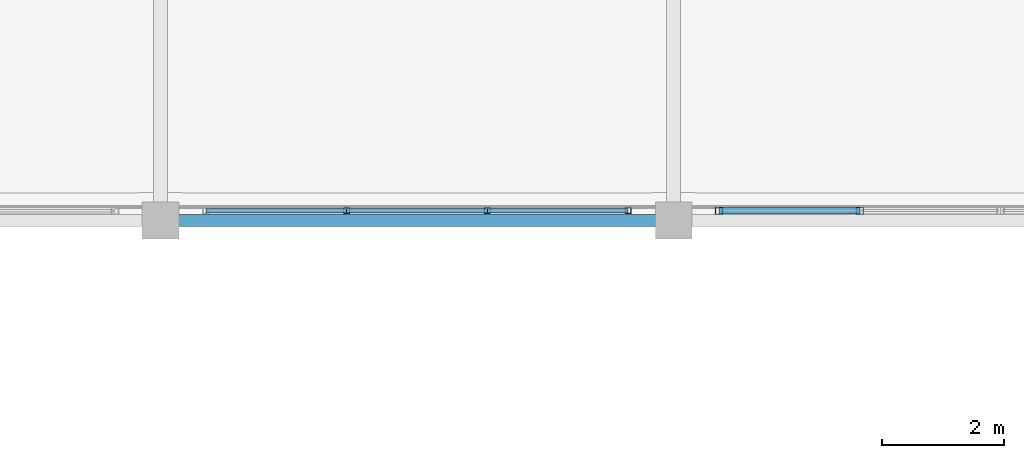
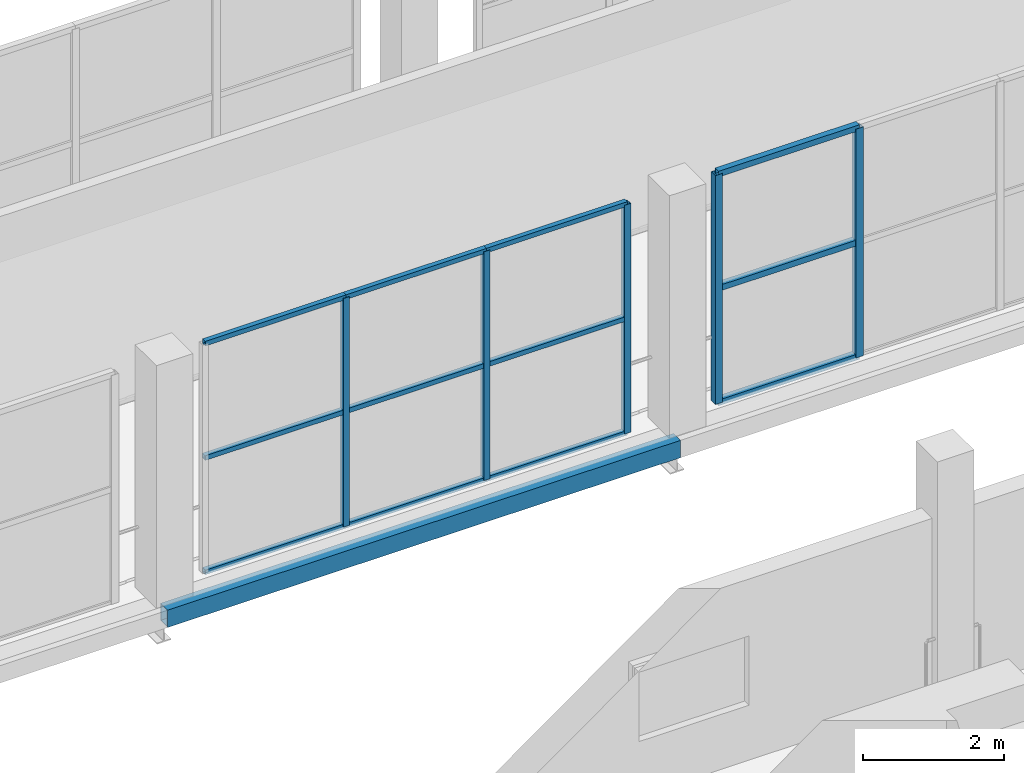
# One storey, part 40 of 151: 17 members, 1 beam, 2 elements without a shape of their own.
"""IFC4 building model written with IfcOpenShell, lengths in metres."""

from ifc_helpers import new_model, si_unit, direction, frame, origin, origin_2d, place, context, subcontext, project, spatial, hollow_rectangle, extrude, material, material_profile, profile_set, type_object, element, aggregate, save


model = new_model("IFC4")

# Units and contexts
model_context = context("Model", 3, precision=1e-05, world=origin(), true_north=direction((0.0, 1.0)))
body_context = subcontext(model_context, "Body", "Model", "MODEL_VIEW")
ifc_project = project(units=[si_unit("LENGTHUNIT", "METRE"), si_unit("AREAUNIT", "SQUARE_METRE"), si_unit("VOLUMEUNIT", "CUBIC_METRE"), si_unit("PLANEANGLEUNIT", "RADIAN"), si_unit("MASSUNIT", "GRAM", prefix="KILO")], contexts=[model_context])

# Site, building, storey
site_placement = place(None, origin())
site = spatial("IfcSite", under=ifc_project, at=site_placement, CompositionType="ELEMENT")
building_placement = place(site_placement, origin())
building = spatial("IfcBuilding", under=site, at=building_placement, Name="Zuvorla Pavilion Media Centre", CompositionType="ELEMENT")
storey_placement = place(building_placement, frame((0.0, 0.0, 13.800048828125)))
storey = spatial("IfcBuildingStorey", under=building, at=storey_placement, Name="L03", CompositionType="ELEMENT", Elevation=13.800048828125)

# Beam
ifc_material_1 = material(Name="Steel S355", Category="steel")
ifc_material_profile_1 = material_profile(ifc_material_1, hollow_rectangle(XDim=0.199951171875, YDim=0.300048828125, WallThickness=0.012451171875, at=origin_2d()), Name="RHS 300x200x12.5")
ifc_profile_set_1 = profile_set([ifc_material_profile_1], Name="Steel S355")
beam_type = type_object("IfcBeamType", Name="BM-SP-RHS300", PredefinedType="SPANDREL", material=ifc_profile_set_1)
beam_placement = place(storey_placement, frame((92.0, 44.0, -0.407958984375), z_axis=(1.0, 0.0, 0.0), x_axis=(0.0, 1.0, 0.0)))
element("IfcBeam", 1, at=beam_placement, inside=storey, type_object=beam_type, Name="L03 spandrel SP01 1083", PredefinedType="SPANDREL", context=body_context, shape_type="SweptSolid", body=[
    extrude(hollow_rectangle(XDim=0.199951171875, YDim=0.300048828125, WallThickness=0.012451171875, at=origin_2d()), origin(), (0.0, 0.0, 1.0), 8.39990234375),
])

# Curtain wall, members
ifc_material_2 = material(Name="Unitised anodised aluminium and solar glass curtain wall", Category="aluminium")
curtain_wall_type_1 = type_object("IfcCurtainWallType", Name="CW-SYS-22", PredefinedType="USERDEFINED", material=ifc_material_2)
curtain_wall_1_placement = place(storey_placement, origin())
curtain_wall_1 = element("IfcCurtainWall", 2, at=curtain_wall_1_placement, inside=storey, type_object=curtain_wall_type_1, Name="L03 curtain wall CW22 140", ObjectType="CURTAIN WALL", PredefinedType="USERDEFINED")
ifc_material_3 = material(Name="Anodised aluminium 6063-T6", Category="aluminium")
ifc_material_profile_2 = material_profile(ifc_material_3, hollow_rectangle(XDim=0.10009765625, YDim=0.10009765625, WallThickness=0.00439453125, at=origin_2d()), Name="ALU MULL 100x100")
ifc_profile_set_2 = profile_set([ifc_material_profile_2], Name="Anodised aluminium 6063-T6")
member_type_1 = type_object("IfcMemberType", Name="CW-MULL-100", PredefinedType="MULLION", material=ifc_profile_set_2)
member_1_placement = place(storey_placement, frame((95.048095703125, 44.159912109375, 0.0), z_axis=(0.0, 0.0, 1.0), x_axis=(1.0, 0.0, 0.0)))
member_1 = element("IfcMember", 3, at=member_1_placement, type_object=member_type_1, Name="CW22 mullion 2", PredefinedType="MULLION", context=body_context, shape_type="SweptSolid", body=[
    extrude(hollow_rectangle(XDim=0.10009765625, YDim=0.10009765625, WallThickness=0.00439453125, at=origin_2d()), origin(), (0.0, 0.0, 1.0), 3.9599609375),
])
member_2_placement = place(storey_placement, frame((97.351806640625, 44.159912109375, 0.0), z_axis=(0.0, 0.0, 1.0), x_axis=(1.0, 0.0, 0.0)))
member_2 = element("IfcMember", 4, at=member_2_placement, type_object=member_type_1, Name="CW22 mullion 3", PredefinedType="MULLION", context=body_context, shape_type="SweptSolid", body=[
    extrude(hollow_rectangle(XDim=0.10009765625, YDim=0.10009765625, WallThickness=0.00439453125, at=origin_2d()), origin(), (0.0, 0.0, 1.0), 3.9599609375),
])
member_3_placement = place(storey_placement, frame((99.65576171875, 44.159912109375, 0.0), z_axis=(0.0, 0.0, 1.0), x_axis=(1.0, 0.0, 0.0)))
member_3 = element("IfcMember", 5, at=member_3_placement, type_object=member_type_1, Name="CW22 mullion 4", PredefinedType="MULLION", context=body_context, shape_type="SweptSolid", body=[
    extrude(hollow_rectangle(XDim=0.10009765625, YDim=0.10009765625, WallThickness=0.00439453125, at=origin_2d()), origin(), (0.0, 0.0, 1.0), 3.9599609375),
])

curtain_wall_type_2 = type_object("IfcCurtainWallType", Name="CW-SYS-70", PredefinedType="USERDEFINED", material=ifc_material_2)
curtain_wall_2_placement = place(storey_placement, origin())
curtain_wall_2 = element("IfcCurtainWall", 6, at=curtain_wall_2_placement, inside=storey, type_object=curtain_wall_type_2, Name="L03 curtain wall CW70 141", ObjectType="CURTAIN WALL", PredefinedType="USERDEFINED")
ifc_material_profile_3 = material_profile(ifc_material_3, hollow_rectangle(XDim=0.1201171875, YDim=0.1201171875, WallThickness=0.0048828125, at=origin_2d()), Name="ALU MULL 120x120")
ifc_profile_set_3 = profile_set([ifc_material_profile_3], Name="Anodised aluminium 6063-T6")
member_type_2 = type_object("IfcMemberType", Name="CW-MULL-120", PredefinedType="MULLION", material=ifc_profile_set_3)
member_4_placement = place(storey_placement, frame((101.144287109375, 44.159912109375, 0.0), z_axis=(0.0, 0.0, 1.0), x_axis=(1.0, 0.0, 0.0)))
member_4 = element("IfcMember", 7, at=member_4_placement, type_object=member_type_2, Name="CW70 mullion 1", PredefinedType="MULLION", context=body_context, shape_type="SweptSolid", body=[
    extrude(hollow_rectangle(XDim=0.1201171875, YDim=0.1201171875, WallThickness=0.0048828125, at=origin_2d()), origin(), (0.0, 0.0, 1.0), 3.9599609375),
])
member_5_placement = place(storey_placement, frame((103.447998046875, 44.159912109375, 0.0), z_axis=(0.0, 0.0, 1.0), x_axis=(1.0, 0.0, 0.0)))
member_5 = element("IfcMember", 8, at=member_5_placement, type_object=member_type_2, Name="CW70 mullion 2", PredefinedType="MULLION", context=body_context, shape_type="SweptSolid", body=[
    extrude(hollow_rectangle(XDim=0.1201171875, YDim=0.1201171875, WallThickness=0.0048828125, at=origin_2d()), origin(), (0.0, 0.0, 1.0), 3.9599609375),
])
ifc_material_profile_4 = material_profile(ifc_material_3, hollow_rectangle(XDim=0.10009765625, YDim=0.10009765625, WallThickness=0.00439453125, at=origin_2d()), Name="ALU TRAN 100x100")
ifc_profile_set_4 = profile_set([ifc_material_profile_4], Name="Anodised aluminium 6063-T6")
member_type_3 = type_object("IfcMemberType", Name="CW-TRAN-100", PredefinedType="USERDEFINED", material=ifc_profile_set_4)
member_6_placement = place(storey_placement, frame((101.144287109375, 44.159912109375, 0.0), z_axis=(1.0, 0.0, 0.0), x_axis=(0.0, 1.0, 0.0)))
member_6 = element("IfcMember", 9, at=member_6_placement, type_object=member_type_3, Name="CW70 transom 1.1", ObjectType="TRANSOM", PredefinedType="USERDEFINED", context=body_context, shape_type="SweptSolid", body=[
    extrude(hollow_rectangle(XDim=0.10009765625, YDim=0.10009765625, WallThickness=0.00439453125, at=origin_2d()), origin(), (0.0, 0.0, 1.0), 2.3037109375),
])
member_7_placement = place(storey_placement, frame((101.144287109375, 44.159912109375, 1.97998046875), z_axis=(1.0, 0.0, 0.0), x_axis=(0.0, 1.0, 0.0)))
member_7 = element("IfcMember", 10, at=member_7_placement, type_object=member_type_3, Name="CW70 transom 1.2", ObjectType="TRANSOM", PredefinedType="USERDEFINED", context=body_context, shape_type="SweptSolid", body=[
    extrude(hollow_rectangle(XDim=0.10009765625, YDim=0.10009765625, WallThickness=0.00439453125, at=origin_2d()), origin(), (0.0, 0.0, 1.0), 2.3037109375),
])
member_8_placement = place(storey_placement, frame((101.144287109375, 44.159912109375, 3.9599609375), z_axis=(1.0, 0.0, 0.0), x_axis=(0.0, 1.0, 0.0)))
member_8 = element("IfcMember", 11, at=member_8_placement, type_object=member_type_3, Name="CW70 transom 1.3", ObjectType="TRANSOM", PredefinedType="USERDEFINED", context=body_context, shape_type="SweptSolid", body=[
    extrude(hollow_rectangle(XDim=0.10009765625, YDim=0.10009765625, WallThickness=0.00439453125, at=origin_2d()), origin(), (0.0, 0.0, 1.0), 2.3037109375),
])
aggregate(curtain_wall_2, [member_4, member_5, member_6, member_7, member_8])

# Member
ifc_material_profile_5 = material_profile(ifc_material_3, hollow_rectangle(XDim=0.080078125, YDim=0.080078125, WallThickness=0.00390625, at=origin_2d()), Name="ALU TRAN 80x80")
ifc_profile_set_5 = profile_set([ifc_material_profile_5], Name="Anodised aluminium 6063-T6")
member_type_4 = type_object("IfcMemberType", Name="CW-TRAN-80", PredefinedType="USERDEFINED", material=ifc_profile_set_5)
member_9_placement = place(storey_placement, frame((92.744384765625, 44.159912109375, 0.0), z_axis=(1.0, 0.0, 0.0), x_axis=(0.0, 1.0, 0.0)))
member_9 = element("IfcMember", 12, at=member_9_placement, type_object=member_type_4, Name="CW22 transom 1.1", ObjectType="TRANSOM", PredefinedType="USERDEFINED", context=body_context, shape_type="SweptSolid", body=[
    extrude(hollow_rectangle(XDim=0.080078125, YDim=0.080078125, WallThickness=0.00390625, at=origin_2d()), origin(), (0.0, 0.0, 1.0), 2.3037109375),
])

member_10_placement = place(storey_placement, frame((92.744384765625, 44.159912109375, 1.97998046875), z_axis=(1.0, 0.0, 0.0), x_axis=(0.0, 1.0, 0.0)))
member_10 = element("IfcMember", 13, at=member_10_placement, type_object=member_type_4, Name="CW22 transom 1.2", ObjectType="TRANSOM", PredefinedType="USERDEFINED", context=body_context, shape_type="SweptSolid", body=[
    extrude(hollow_rectangle(XDim=0.080078125, YDim=0.080078125, WallThickness=0.00390625, at=origin_2d()), origin(), (0.0, 0.0, 1.0), 2.3037109375),
])

member_11_placement = place(storey_placement, frame((92.744384765625, 44.159912109375, 3.9599609375), z_axis=(1.0, 0.0, 0.0), x_axis=(0.0, 1.0, 0.0)))
member_11 = element("IfcMember", 14, at=member_11_placement, type_object=member_type_4, Name="CW22 transom 1.3", ObjectType="TRANSOM", PredefinedType="USERDEFINED", context=body_context, shape_type="SweptSolid", body=[
    extrude(hollow_rectangle(XDim=0.080078125, YDim=0.080078125, WallThickness=0.00390625, at=origin_2d()), origin(), (0.0, 0.0, 1.0), 2.3037109375),
])

member_12_placement = place(storey_placement, frame((95.048095703125, 44.159912109375, 0.0), z_axis=(1.0, 0.0, 0.0), x_axis=(0.0, 1.0, 0.0)))
member_12 = element("IfcMember", 15, at=member_12_placement, type_object=member_type_4, Name="CW22 transom 2.1", ObjectType="TRANSOM", PredefinedType="USERDEFINED", context=body_context, shape_type="SweptSolid", body=[
    extrude(hollow_rectangle(XDim=0.080078125, YDim=0.080078125, WallThickness=0.00390625, at=origin_2d()), origin(), (0.0, 0.0, 1.0), 2.3037109375),
])

member_13_placement = place(storey_placement, frame((95.048095703125, 44.159912109375, 1.97998046875), z_axis=(1.0, 0.0, 0.0), x_axis=(0.0, 1.0, 0.0)))
member_13 = element("IfcMember", 16, at=member_13_placement, type_object=member_type_4, Name="CW22 transom 2.2", ObjectType="TRANSOM", PredefinedType="USERDEFINED", context=body_context, shape_type="SweptSolid", body=[
    extrude(hollow_rectangle(XDim=0.080078125, YDim=0.080078125, WallThickness=0.00390625, at=origin_2d()), origin(), (0.0, 0.0, 1.0), 2.3037109375),
])

member_14_placement = place(storey_placement, frame((95.048095703125, 44.159912109375, 3.9599609375), z_axis=(1.0, 0.0, 0.0), x_axis=(0.0, 1.0, 0.0)))
member_14 = element("IfcMember", 17, at=member_14_placement, type_object=member_type_4, Name="CW22 transom 2.3", ObjectType="TRANSOM", PredefinedType="USERDEFINED", context=body_context, shape_type="SweptSolid", body=[
    extrude(hollow_rectangle(XDim=0.080078125, YDim=0.080078125, WallThickness=0.00390625, at=origin_2d()), origin(), (0.0, 0.0, 1.0), 2.3037109375),
])

member_15_placement = place(storey_placement, frame((97.351806640625, 44.159912109375, 0.0), z_axis=(1.0, 0.0, 0.0), x_axis=(0.0, 1.0, 0.0)))
member_15 = element("IfcMember", 18, at=member_15_placement, type_object=member_type_4, Name="CW22 transom 3.1", ObjectType="TRANSOM", PredefinedType="USERDEFINED", context=body_context, shape_type="SweptSolid", body=[
    extrude(hollow_rectangle(XDim=0.080078125, YDim=0.080078125, WallThickness=0.00390625, at=origin_2d()), origin(), (0.0, 0.0, 1.0), 2.303955078125),
])

member_16_placement = place(storey_placement, frame((97.351806640625, 44.159912109375, 1.97998046875), z_axis=(1.0, 0.0, 0.0), x_axis=(0.0, 1.0, 0.0)))
member_16 = element("IfcMember", 19, at=member_16_placement, type_object=member_type_4, Name="CW22 transom 3.2", ObjectType="TRANSOM", PredefinedType="USERDEFINED", context=body_context, shape_type="SweptSolid", body=[
    extrude(hollow_rectangle(XDim=0.080078125, YDim=0.080078125, WallThickness=0.00390625, at=origin_2d()), origin(), (0.0, 0.0, 1.0), 2.303955078125),
])

member_17_placement = place(storey_placement, frame((97.351806640625, 44.159912109375, 3.9599609375), z_axis=(1.0, 0.0, 0.0), x_axis=(0.0, 1.0, 0.0)))
member_17 = element("IfcMember", 20, at=member_17_placement, type_object=member_type_4, Name="CW22 transom 3.3", ObjectType="TRANSOM", PredefinedType="USERDEFINED", context=body_context, shape_type="SweptSolid", body=[
    extrude(hollow_rectangle(XDim=0.080078125, YDim=0.080078125, WallThickness=0.00390625, at=origin_2d()), origin(), (0.0, 0.0, 1.0), 2.303955078125),
])

aggregate(curtain_wall_1, [member_1, member_2, member_3, member_9, member_10, member_11, member_12, member_13, member_14, member_15, member_16, member_17])

save(model, "model.ifc")
